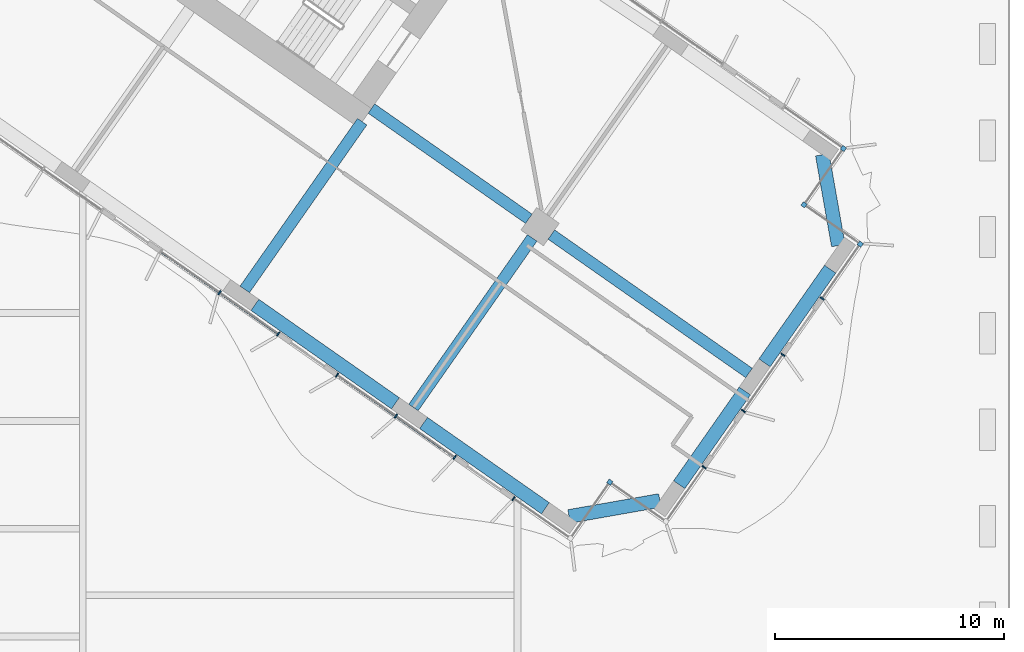
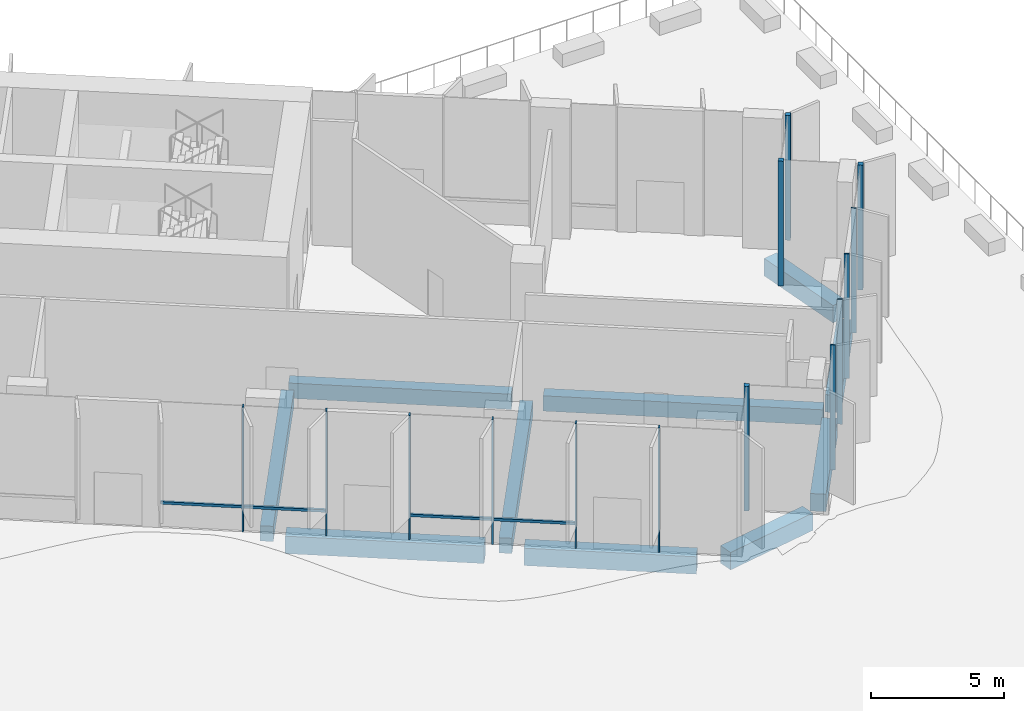
# One storey, part 7 of 27: 16 members, 10 beams, 9 elements without a shape of their own.
"""IFC4 building model written with IfcOpenShell, lengths in metres."""

from ifc_helpers import new_model, si_unit, direction, frame, origin, origin_2d, place, context, subcontext, project, spatial, rectangle, extrude, material, material_profile, profile_set, type_object, element, aggregate, save


model = new_model("IFC4")

# Units and contexts
model_context = context("Model", 3, precision=1e-05, world=origin(), true_north=direction((0.0, 1.0)))
body_context = subcontext(model_context, "Body", "Model", "MODEL_VIEW")
ifc_project = project(units=[si_unit("LENGTHUNIT", "METRE"), si_unit("AREAUNIT", "SQUARE_METRE"), si_unit("VOLUMEUNIT", "CUBIC_METRE"), si_unit("PLANEANGLEUNIT", "RADIAN"), si_unit("MASSUNIT", "GRAM", prefix="KILO")], contexts=[model_context])

# Site, building, storey
site_placement = place(None, origin())
site = spatial("IfcSite", under=ifc_project, at=site_placement, CompositionType="ELEMENT")
building_placement = place(site_placement, origin())
building = spatial("IfcBuilding", under=site, at=building_placement, Name="Tel Ilan Convention Tower", CompositionType="ELEMENT")
storey_placement = place(building_placement, frame((0.0, 0.0, 48.5)))
storey = spatial("IfcBuildingStorey", under=building, at=storey_placement, Name="L07", CompositionType="ELEMENT", Elevation=48.5)

# Beams
ifc_material_1 = material(Name="Concrete C40/50", Category="concrete")
ifc_material_profile_1 = material_profile(ifc_material_1, rectangle(XDim=0.5, YDim=0.699951171875, at=origin_2d()), Name="RC 500x700")
ifc_profile_set_1 = profile_set([ifc_material_profile_1], Name="Concrete C40/50")
beam_type_1 = type_object("IfcBeamType", Name="Beam RC 500x700 Concrete C40/50", PredefinedType="BEAM", material=ifc_profile_set_1)
beam_1_placement = place(storey_placement, frame((16.58203125, -23.391357421875, -0.6298828125), z_axis=(0.573584999642, 0.819146048141, 0.0), x_axis=(-0.819146048141, 0.573584999642, 0.0)))
element("IfcBeam", 1, at=beam_1_placement, inside=storey, type_object=beam_type_1, Name="L07 beam E-E-F3-core", PredefinedType="BEAM", context=body_context, shape_type="SweptSolid", body=[
    extrude(rectangle(XDim=0.5, YDim=0.699951171875, at=origin_2d()), origin(), (0.0, 0.0, 1.0), 8.949951171875),
])
beam_2_placement = place(storey_placement, frame((22.1171875, -15.486572265625, -0.6298828125), z_axis=(0.819147254605, -0.573583276668, 0.0), x_axis=(0.573583276668, 0.819147254605, 0.0)))
element("IfcBeam", 2, at=beam_2_placement, inside=storey, type_object=beam_type_1, Name="L07 beam E-core-E-M4", PredefinedType="BEAM", context=body_context, shape_type="SweptSolid", body=[
    extrude(rectangle(XDim=0.5, YDim=0.699951171875, at=origin_2d()), origin(), (0.0, 0.0, 1.0), 8.400146484375),
])
beam_3_placement = place(storey_placement, frame((29.98095703125, -20.992919921875, -0.6298828125), z_axis=(0.819151461915, -0.573577268067, 0.0), x_axis=(0.573577268067, 0.819151461915, 0.0)))
element("IfcBeam", 3, at=beam_3_placement, inside=storey, type_object=beam_type_1, Name="L07 beam E-E-M4-end", PredefinedType="BEAM", context=body_context, shape_type="SweptSolid", body=[
    extrude(rectangle(XDim=0.5, YDim=0.699951171875, at=origin_2d()), origin(), (0.0, 0.0, 1.0), 10.550048828125),
])
beam_4_placement = place(storey_placement, frame((29.145263671875, -21.14013671875, -0.6298828125), z_axis=(-0.573549245583, -0.819171082798, 0.0), x_axis=(0.819171082798, -0.573549245583, 0.0)))
element("IfcBeam", 4, at=beam_4_placement, inside=storey, type_object=beam_type_1, Name="L07 beam E-E-M4-E-F4", PredefinedType="BEAM", context=body_context, shape_type="SweptSolid", body=[
    extrude(rectangle(XDim=0.5, YDim=0.699951171875, at=origin_2d()), origin(), (0.0, 0.0, 1.0), 9.050048828125),
])
ifc_material_2 = material(Name="Concrete C40/50", Category="concrete")
ifc_material_profile_2 = material_profile(ifc_material_2, rectangle(XDim=0.60009765625, YDim=0.800048828125, at=origin_2d()), Name="RC 600x800")
ifc_profile_set_2 = profile_set([ifc_material_profile_2], Name="Concrete C40/50")
beam_type_2 = type_object("IfcBeamType", Name="Beam RC 600x800 Concrete C40/50", PredefinedType="BEAM", material=ifc_profile_set_2)
beam_5_placement = place(storey_placement, frame((17.0244140625, -24.0673828125, -0.679931640625), z_axis=(0.81915238829, -0.573575945067, 0.0), x_axis=(0.573575945067, 0.81915238829, 0.0)))
element("IfcBeam", 5, at=beam_5_placement, inside=storey, type_object=beam_type_2, Name="L07 beam E-E-F3-E-F4", PredefinedType="BEAM", context=body_context, shape_type="SweptSolid", body=[
    extrude(rectangle(XDim=0.60009765625, YDim=0.800048828125, at=origin_2d()), origin(), (0.0, 0.0, 1.0), 7.5),
])
beam_6_placement = place(storey_placement, frame((24.396728515625, -29.2294921875, -0.679931640625), z_axis=(0.819148977158, -0.573580816643, 0.0), x_axis=(0.573580816643, 0.819148977158, 0.0)))
element("IfcBeam", 6, at=beam_6_placement, inside=storey, type_object=beam_type_2, Name="L07 beam E-E-F4-E-FC", PredefinedType="BEAM", context=body_context, shape_type="SweptSolid", body=[
    extrude(rectangle(XDim=0.60009765625, YDim=0.800048828125, at=origin_2d()), origin(), (0.0, 0.0, 1.0), 6.5),
])
beam_7_placement = place(storey_placement, frame((30.75341796875, -33.314208984375, -0.679931640625), z_axis=(0.984815252405, 0.173605641124, 0.0), x_axis=(-0.173605641124, 0.984815252405, 0.0)))
element("IfcBeam", 7, at=beam_7_placement, inside=storey, type_object=beam_type_2, Name="L07 beam E-E-FC-E-E1", PredefinedType="BEAM", context=body_context, shape_type="SweptSolid", body=[
    extrude(rectangle(XDim=0.60009765625, YDim=0.800048828125, at=origin_2d()), origin(), (0.0, 0.0, 1.0), 4.030517578125),
])
for number, where, z_axis, x_axis, name in (
    (8, (35.57080078125, -31.92626953125, -0.679931640625), (0.573586866468, 0.819144740944, 0.0), (-0.819144740944, 0.573586866468, 0.0), "L07 beam E-E-E1-E-E2"),
    (9, (39.298828125, -26.601806640625, -0.679931640625), (0.573586866468, 0.819144740944, 0.0), (-0.819144740944, 0.573586866468, 0.0), "L07 beam E-E-E2-E-E3"),
):
    element("IfcBeam", number, at=place(storey_placement, frame(where, z_axis=z_axis, x_axis=x_axis)), inside=storey, type_object=beam_type_2, Name=name, PredefinedType="BEAM", context=body_context, shape_type="SweptSolid", body=[
        extrude(rectangle(XDim=0.60009765625, YDim=0.800048828125, at=origin_2d()), origin(), (0.0, 0.0, 1.0), 5.0),
    ])
beam_8_placement = place(storey_placement, frame((42.523193359375, -21.473876953125, -0.679931640625), z_axis=(-0.173605641124, 0.984815252405, 0.0), x_axis=(-0.984815252405, -0.173605641124, 0.0)))
element("IfcBeam", 10, at=beam_8_placement, inside=storey, type_object=beam_type_2, Name="L07 beam E-E-E3-E-BC", PredefinedType="BEAM", context=body_context, shape_type="SweptSolid", body=[
    extrude(rectangle(XDim=0.60009765625, YDim=0.800048828125, at=origin_2d()), origin(), (0.0, 0.0, 1.0), 4.030517578125),
])

# Curtain wall, member
ifc_material_3 = material(Name="Aluminium, bronze anodised", Category="aluminium")
curtain_wall_type = type_object("IfcCurtainWallType", Name="CW1 UNITISED CURTAIN WALL, HOTEL TINTED GLASS", PredefinedType="NOTDEFINED", material=ifc_material_3)
curtain_wall_1_placement = place(storey_placement, origin())
curtain_wall_1 = element("IfcCurtainWall", 11, at=curtain_wall_1_placement, inside=storey, type_object=curtain_wall_type, Name="Curtain wall CW1-10.16", PredefinedType="NOTDEFINED")
ifc_material_4 = material(Name="Aluminium, bronze anodised", Category="aluminium")
ifc_material_profile_3 = material_profile(ifc_material_4, rectangle(XDim=0.199951171875, YDim=0.199951171875, at=origin_2d()), Name="CW CORNER MULLION 200x200")
ifc_profile_set_3 = profile_set([ifc_material_profile_3], Name="Aluminium, bronze anodised")
member_type_1 = type_object("IfcMemberType", Name="CW CORNER MULLION 200x200", PredefinedType="MULLION", material=ifc_profile_set_3)
member_1_placement = place(storey_placement, frame((32.535400390625, -31.815185546875, 0.0), z_axis=(0.0, 0.0, 1.0), x_axis=(0.573576436351, 0.819152044289, 0.0)))
member_1 = element("IfcMember", 12, at=member_1_placement, type_object=member_type_1, Name="Corner mullion", PredefinedType="MULLION", context=body_context, shape_type="SweptSolid", body=[
    extrude(rectangle(XDim=0.199951171875, YDim=0.199951171875, at=origin_2d()), origin(), (0.0, 0.0, 1.0), 5.719970703125),
])

# Curtain wall, members
curtain_wall_2_placement = place(storey_placement, origin())
curtain_wall_2 = element("IfcCurtainWall", 13, at=curtain_wall_2_placement, inside=storey, type_object=curtain_wall_type, Name="Curtain wall CW1-10.20", PredefinedType="NOTDEFINED")
member_2_placement = place(storey_placement, frame((43.48193359375, -21.41259765625, 0.0), z_axis=(0.0, 0.0, 1.0), x_axis=(0.573576436351, 0.819152044289, 0.0)))
member_2 = element("IfcMember", 14, at=member_2_placement, type_object=member_type_1, Name="Corner mullion", PredefinedType="MULLION", context=body_context, shape_type="SweptSolid", body=[
    extrude(rectangle(XDim=0.199951171875, YDim=0.199951171875, at=origin_2d()), origin(), (0.0, 0.0, 1.0), 5.719970703125),
])
member_3_placement = place(storey_placement, frame((41.0244140625, -19.69189453125, 0.0), z_axis=(0.0, 0.0, 1.0), x_axis=(-0.819152044289, 0.573576436351, 0.0)))
member_3 = element("IfcMember", 15, at=member_3_placement, type_object=member_type_1, Name="Corner mullion", PredefinedType="MULLION", context=body_context, shape_type="SweptSolid", body=[
    extrude(rectangle(XDim=0.199951171875, YDim=0.199951171875, at=origin_2d()), origin(), (0.0, 0.0, 1.0), 5.719970703125),
])
member_4_placement = place(storey_placement, frame((42.7451171875, -17.234375, 0.0), z_axis=(0.0, 0.0, 1.0), x_axis=(0.573576436351, 0.819152044289, 0.0)))
member_4 = element("IfcMember", 16, at=member_4_placement, type_object=member_type_1, Name="Corner mullion", PredefinedType="MULLION", context=body_context, shape_type="SweptSolid", body=[
    extrude(rectangle(XDim=0.199951171875, YDim=0.199951171875, at=origin_2d()), origin(), (0.0, 0.0, 1.0), 5.719970703125),
])
aggregate(curtain_wall_2, [member_2, member_3, member_4])

curtain_wall_3_placement = place(storey_placement, origin())
curtain_wall_3 = element("IfcCurtainWall", 17, at=curtain_wall_3_placement, inside=storey, type_object=curtain_wall_type, Name="Curtain wall CW1-10.12", PredefinedType="NOTDEFINED")
ifc_material_5 = material(Name="Aluminium, bronze anodised", Category="aluminium")
ifc_material_profile_4 = material_profile(ifc_material_5, rectangle(XDim=0.06005859375, YDim=0.199951171875, at=origin_2d()), Name="CW MULLION 60x200")
ifc_profile_set_4 = profile_set([ifc_material_profile_4], Name="Aluminium, bronze anodised")
member_type_2 = type_object("IfcMemberType", Name="CW MULLION 60x200", PredefinedType="MULLION", material=ifc_profile_set_4)
member_5_placement = place(storey_placement, frame((15.47705078125, -23.533203125, 0.0), z_axis=(0.0, 0.0, 1.0), x_axis=(0.819152044289, -0.573576436351, 0.0)))
member_5 = element("IfcMember", 18, at=member_5_placement, type_object=member_type_2, Name="Mullion", PredefinedType="MULLION", context=body_context, shape_type="SweptSolid", body=[
    extrude(rectangle(XDim=0.06005859375, YDim=0.199951171875, at=origin_2d()), origin(), (0.0, 0.0, 1.0), 5.719970703125),
])
member_6_placement = place(storey_placement, frame((18.046875, -25.332763671875, 0.0), z_axis=(0.0, 0.0, 1.0), x_axis=(0.819152044289, -0.573576436351, 0.0)))
member_6 = element("IfcMember", 19, at=member_6_placement, type_object=member_type_2, Name="Mullion", PredefinedType="MULLION", context=body_context, shape_type="SweptSolid", body=[
    extrude(rectangle(XDim=0.06005859375, YDim=0.199951171875, at=origin_2d()), origin(), (0.0, 0.0, 1.0), 5.719970703125),
])

# Curtain wall, member
curtain_wall_4_placement = place(storey_placement, origin())
curtain_wall_4 = element("IfcCurtainWall", 20, at=curtain_wall_4_placement, inside=storey, type_object=curtain_wall_type, Name="Curtain wall CW1-10.13", PredefinedType="NOTDEFINED")
member_7_placement = place(storey_placement, frame((20.616943359375, -27.132080078125, 0.0), z_axis=(0.0, 0.0, 1.0), x_axis=(0.819152044289, -0.573576436351, 0.0)))
member_7 = element("IfcMember", 21, at=member_7_placement, type_object=member_type_2, Name="Mullion", PredefinedType="MULLION", context=body_context, shape_type="SweptSolid", body=[
    extrude(rectangle(XDim=0.06005859375, YDim=0.199951171875, at=origin_2d()), origin(), (0.0, 0.0, 1.0), 5.719970703125),
])
aggregate(curtain_wall_4, [member_7])

# Curtain wall, members
curtain_wall_5_placement = place(storey_placement, origin())
curtain_wall_5 = element("IfcCurtainWall", 22, at=curtain_wall_5_placement, inside=storey, type_object=curtain_wall_type, Name="Curtain wall CW1-10.14", PredefinedType="NOTDEFINED")
member_8_placement = place(storey_placement, frame((23.186767578125, -28.931640625, 0.0), z_axis=(0.0, 0.0, 1.0), x_axis=(0.819152044289, -0.573576436351, 0.0)))
member_8 = element("IfcMember", 23, at=member_8_placement, type_object=member_type_2, Name="Mullion", PredefinedType="MULLION", context=body_context, shape_type="SweptSolid", body=[
    extrude(rectangle(XDim=0.06005859375, YDim=0.199951171875, at=origin_2d()), origin(), (0.0, 0.0, 1.0), 5.719970703125),
])
member_9_placement = place(storey_placement, frame((25.7568359375, -30.731201171875, 0.0), z_axis=(0.0, 0.0, 1.0), x_axis=(0.819152044289, -0.573576436351, 0.0)))
member_9 = element("IfcMember", 24, at=member_9_placement, type_object=member_type_2, Name="Mullion", PredefinedType="MULLION", context=body_context, shape_type="SweptSolid", body=[
    extrude(rectangle(XDim=0.06005859375, YDim=0.199951171875, at=origin_2d()), origin(), (0.0, 0.0, 1.0), 5.719970703125),
])

# Curtain wall, member
curtain_wall_6_placement = place(storey_placement, origin())
curtain_wall_6 = element("IfcCurtainWall", 25, at=curtain_wall_6_placement, inside=storey, type_object=curtain_wall_type, Name="Curtain wall CW1-10.15", PredefinedType="NOTDEFINED")
member_10_placement = place(storey_placement, frame((28.32666015625, -32.530517578125, 0.0), z_axis=(0.0, 0.0, 1.0), x_axis=(0.819152044289, -0.573576436351, 0.0)))
member_10 = element("IfcMember", 26, at=member_10_placement, type_object=member_type_2, Name="Mullion", PredefinedType="MULLION", context=body_context, shape_type="SweptSolid", body=[
    extrude(rectangle(XDim=0.06005859375, YDim=0.199951171875, at=origin_2d()), origin(), (0.0, 0.0, 1.0), 5.719970703125),
])
aggregate(curtain_wall_6, [member_10])

# Member
member_11_placement = place(storey_placement, frame((36.65625, -31.160400390625, 0.0), z_axis=(0.0, 0.0, 1.0), x_axis=(0.573576436351, 0.819152044289, 0.0)))
member_11 = element("IfcMember", 27, at=member_11_placement, type_object=member_type_2, Name="Mullion", PredefinedType="MULLION", context=body_context, shape_type="SweptSolid", body=[
    extrude(rectangle(XDim=0.06005859375, YDim=0.199951171875, at=origin_2d()), origin(), (0.0, 0.0, 1.0), 5.719970703125),
])

aggregate(curtain_wall_1, [member_1, member_11])

# Curtain wall, member
curtain_wall_7_placement = place(storey_placement, origin())
curtain_wall_7 = element("IfcCurtainWall", 28, at=curtain_wall_7_placement, inside=storey, type_object=curtain_wall_type, Name="Curtain wall CW1-10.17", PredefinedType="NOTDEFINED")
member_12_placement = place(storey_placement, frame((38.376953125, -28.703125, 0.0), z_axis=(0.0, 0.0, 1.0), x_axis=(0.573576436351, 0.819152044289, 0.0)))
member_12 = element("IfcMember", 29, at=member_12_placement, type_object=member_type_2, Name="Mullion", PredefinedType="MULLION", context=body_context, shape_type="SweptSolid", body=[
    extrude(rectangle(XDim=0.06005859375, YDim=0.199951171875, at=origin_2d()), origin(), (0.0, 0.0, 1.0), 5.719970703125),
])
aggregate(curtain_wall_7, [member_12])

curtain_wall_8_placement = place(storey_placement, origin())
curtain_wall_8 = element("IfcCurtainWall", 30, at=curtain_wall_8_placement, inside=storey, type_object=curtain_wall_type, Name="Curtain wall CW1-10.18", PredefinedType="NOTDEFINED")
member_13_placement = place(storey_placement, frame((40.09765625, -26.24560546875, 0.0), z_axis=(0.0, 0.0, 1.0), x_axis=(0.573576436351, 0.819152044289, 0.0)))
member_13 = element("IfcMember", 31, at=member_13_placement, type_object=member_type_2, Name="Mullion", PredefinedType="MULLION", context=body_context, shape_type="SweptSolid", body=[
    extrude(rectangle(XDim=0.06005859375, YDim=0.199951171875, at=origin_2d()), origin(), (0.0, 0.0, 1.0), 5.719970703125),
])
aggregate(curtain_wall_8, [member_13])

curtain_wall_9_placement = place(storey_placement, origin())
curtain_wall_9 = element("IfcCurtainWall", 32, at=curtain_wall_9_placement, inside=storey, type_object=curtain_wall_type, Name="Curtain wall CW1-10.19", PredefinedType="NOTDEFINED")
member_14_placement = place(storey_placement, frame((41.818359375, -23.7880859375, 0.0), z_axis=(0.0, 0.0, 1.0), x_axis=(0.573576436351, 0.819152044289, 0.0)))
member_14 = element("IfcMember", 33, at=member_14_placement, type_object=member_type_2, Name="Mullion", PredefinedType="MULLION", context=body_context, shape_type="SweptSolid", body=[
    extrude(rectangle(XDim=0.06005859375, YDim=0.199951171875, at=origin_2d()), origin(), (0.0, 0.0, 1.0), 5.719970703125),
])
aggregate(curtain_wall_9, [member_14])

# Member
ifc_material_6 = material(Name="Aluminium, bronze anodised", Category="aluminium")
ifc_material_profile_5 = material_profile(ifc_material_6, rectangle(XDim=0.10009765625, YDim=0.1201171875, at=origin_2d()), Name="CW TRANSOM 100x120")
ifc_profile_set_5 = profile_set([ifc_material_profile_5], Name="Aluminium, bronze anodised")
member_type_3 = type_object("IfcMemberType", Name="CW TRANSOM 100x120", PredefinedType="USERDEFINED", material=ifc_profile_set_5)
member_15_placement = place(storey_placement, frame((12.931640625, -21.7509765625, 1.10009765625), z_axis=(0.819165473709, -0.573557256673, 0.0), x_axis=(0.573557256673, 0.819165473709, 0.0)))
member_15 = element("IfcMember", 34, at=member_15_placement, type_object=member_type_3, Name="Transom", ObjectType="TRANSOM", PredefinedType="USERDEFINED", context=body_context, shape_type="SweptSolid", body=[
    extrude(rectangle(XDim=0.10009765625, YDim=0.1201171875, at=origin_2d()), origin(), (0.0, 0.0, 1.0), 6.214599609375),
])

aggregate(curtain_wall_3, [member_5, member_6, member_15])

member_16_placement = place(storey_placement, frame((20.641357421875, -27.1494140625, 1.10009765625), z_axis=(0.819165473709, -0.573557256673, 0.0), x_axis=(0.573557256673, 0.819165473709, 0.0)))
member_16 = element("IfcMember", 35, at=member_16_placement, type_object=member_type_3, Name="Transom", ObjectType="TRANSOM", PredefinedType="USERDEFINED", context=body_context, shape_type="SweptSolid", body=[
    extrude(rectangle(XDim=0.10009765625, YDim=0.1201171875, at=origin_2d()), origin(), (0.0, 0.0, 1.0), 6.214599609375),
])

aggregate(curtain_wall_5, [member_8, member_9, member_16])

save(model, "model.ifc")
